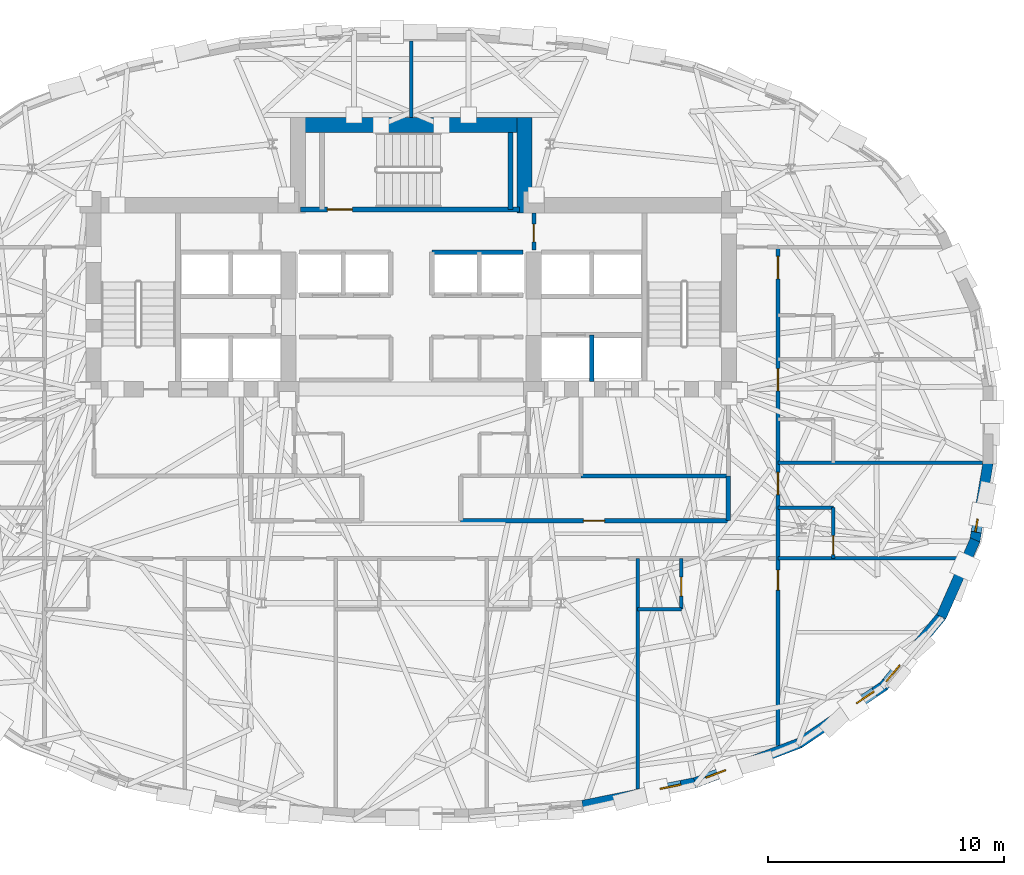
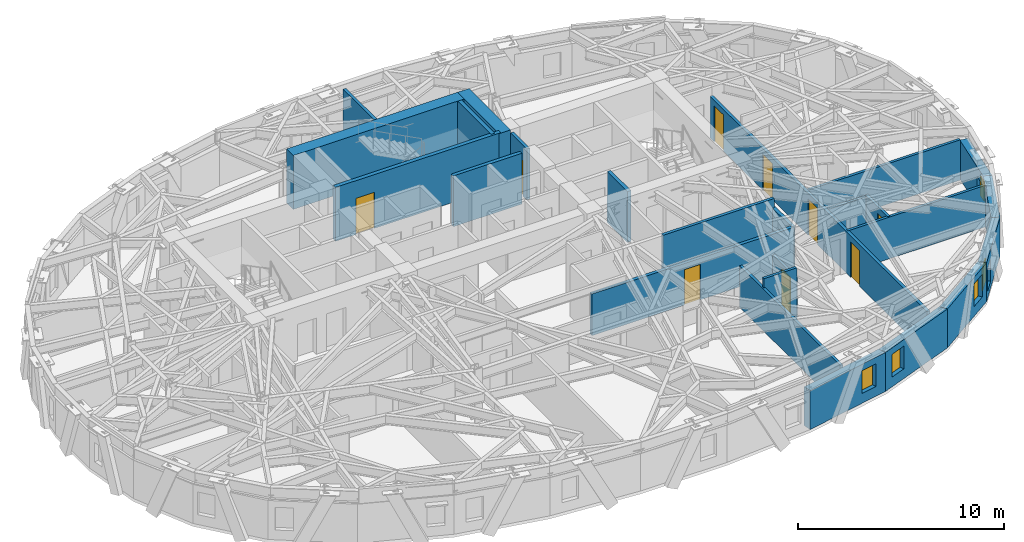
# One storey, part 9 of 15: 25 walls, 9 doors, 5 windows, 14 openings.
"""IFC4 building model written with IfcOpenShell, lengths in metres."""

from ifc_helpers import new_model, si_unit, direction, frame, frame_2d, origin, place, context, subcontext, project, spatial, rectangle, extrude, material, layer, layer_set, type_object, element, fill, save


model = new_model("IFC4")

# Units and contexts
model_context = context("Model", 3, precision=1e-05, world=origin(), true_north=direction((0.0, 1.0)))
body_context = subcontext(model_context, "Body", "Model", "MODEL_VIEW")
ifc_project = project(units=[si_unit("LENGTHUNIT", "METRE"), si_unit("AREAUNIT", "SQUARE_METRE"), si_unit("VOLUMEUNIT", "CUBIC_METRE"), si_unit("PLANEANGLEUNIT", "RADIAN"), si_unit("MASSUNIT", "GRAM", prefix="KILO")], contexts=[model_context])

# Site, building, storey
site_placement = place(None, origin())
site = spatial("IfcSite", under=ifc_project, at=site_placement, CompositionType="ELEMENT")
building_placement = place(site_placement, origin())
building = spatial("IfcBuilding", under=site, at=building_placement, Name="Keldmark Tower", CompositionType="ELEMENT")
storey_placement = place(building_placement, frame((0.0, 0.0, 150.199951171875)))
storey = spatial("IfcBuildingStorey", under=building, at=storey_placement, Name="L40", CompositionType="ELEMENT", Elevation=150.199951171875)

# Wall, opening, door
ifc_material_1 = material(Name="Heavy Acoustic Plumbing Chase Gypsum Assembly", Category="gypsum")
ifc_layer_1 = layer(ifc_material_1, 0.18994140625)
ifc_layer_set_1 = layer_set([ifc_layer_1], Name="Heavy Acoustic Plumbing Chase Gypsum Assembly")
wall_type_1 = type_object("IfcWallType", Name="Heavy Wet Wall 190 mm", PredefinedType="PLUMBINGWALL", material=ifc_layer_set_1)
wall_1_placement = place(storey_placement, frame((2.10009765625, -4.050048828125, 0.0), z_axis=(0.0, 0.0, 1.0), x_axis=(1.0, 0.0, 0.0)))
wall_1 = element("IfcWall", 1, at=wall_1_placement, inside=storey, type_object=wall_type_1, Name="L40 Heavy Wet Wall 190 mm SPK-E-S", PredefinedType="PLUMBINGWALL", context=body_context, shape_type="SweptSolid", body=[
    extrude(rectangle(XDim=11.349853515625, YDim=0.18994140625, at=frame_2d((5.6748046875, 0.0))), origin(), (0.0, 0.0, 1.0), 2.47314453125),
])
opening_1_placement = place(wall_1_placement, frame((5.199951171875, 0.0, 0.0)))
opening_1 = element("IfcOpeningElement", 2, at=opening_1_placement, cuts=wall_1, Name="Opening D-IN090", PredefinedType="OPENING", context=body_context, shape_type="SweptSolid", body=[
    extrude(rectangle(XDim=0.89990234375, YDim=2.10009765625, at=frame_2d((0.449951171875, 1.050048828125))), frame((0.0, 0.10498046875, 0.0), z_axis=(0.0, -1.0, 0.0), x_axis=(1.0, 0.0, 0.0)), (0.0, 0.0, 1.0), 0.2099609375),
])
ifc_material_2 = material(Name="Stained American White Oak Veneer", Category="wood")
door_type_1 = type_object("IfcDoorType", Name="Interior Door 900x2100", OperationType="NOTDEFINED", PredefinedType="DOOR", material=ifc_material_2)
door_1_placement = place(opening_1_placement, origin())
door_1 = element("IfcDoor", 3, at=door_1_placement, inside=storey, type_object=door_type_1, Name="L40 Interior Door 900x2100 D-SPKE1-L40", OperationType="SINGLE_SWING_RIGHT", OverallHeight=2.10009765625, OverallWidth=0.89990234375, PredefinedType="DOOR", context=body_context, shape_type="SweptSolid", body=[
    extrude(rectangle(XDim=0.89990234375, YDim=2.10009765625, at=frame_2d((0.449951171875, 1.050048828125))), frame((0.0, 0.02490234375, 0.0), z_axis=(0.0, -1.0, 0.0), x_axis=(1.0, 0.0, 0.0)), (0.0, 0.0, 1.0), 0.050048828125),
])
fill(opening_1, door_1)

# Walls
wall_2_placement = place(storey_placement, frame((13.449951171875, -4.050048828125, 0.0), z_axis=(0.0, 0.0, 1.0), x_axis=(0.0, 1.0, 0.0)))
element("IfcWall", 4, at=wall_2_placement, inside=storey, type_object=wall_type_1, Name="L40 Heavy Wet Wall 190 mm SPK-E-E", PredefinedType="PLUMBINGWALL", context=body_context, shape_type="SweptSolid", body=[
    extrude(rectangle(XDim=1.900146484375, YDim=0.18994140625, at=frame_2d((0.9501953125, 0.0))), origin(), (0.0, 0.0, 1.0), 2.47314453125),
])
ifc_material_3 = material(Name="Type X Fire-Rated Gypsum Partition Assembly", Category="gypsum")
ifc_layer_2 = layer(ifc_material_3, 0.1650390625)
ifc_layer_set_2 = layer_set([ifc_layer_2], Name="Type X Fire-Rated Gypsum Partition Assembly")
wall_type_2 = type_object("IfcWallType", Name="Rated Partition 165 mm", PredefinedType="PARTITIONING", material=ifc_layer_set_2)
wall_3_placement = place(storey_placement, frame((7.199951171875, -2.14990234375, 0.0), z_axis=(0.0, 0.0, 1.0), x_axis=(1.0, 0.0, 0.0)))
element("IfcWall", 5, at=wall_3_placement, inside=storey, type_object=wall_type_2, Name="L40 Rated Partition 165 mm FSAE-E-S", PredefinedType="PARTITIONING", context=body_context, shape_type="SweptSolid", body=[
    extrude(rectangle(XDim=6.25, YDim=0.1650390625, at=frame_2d((3.125, 0.0))), origin(), (0.0, 0.0, 1.0), 3.02001953125),
])

# Wall, opening, door
wall_4_placement = place(storey_placement, frame((5.199951171875, 7.419921875, 0.0), z_axis=(0.0, 0.0, 1.0), x_axis=(0.0, 1.0, 0.0)))
wall_4 = element("IfcWall", 6, at=wall_4_placement, inside=storey, type_object=wall_type_2, Name="L40 Rated Partition 165 mm CS-NE-W", PredefinedType="PARTITIONING", context=body_context, shape_type="SweptSolid", body=[
    extrude(rectangle(XDim=1.580078125, YDim=0.1650390625, at=frame_2d((0.7900390625, 0.0))), origin(), (0.0, 0.0, 1.0), 3.02001953125),
])
opening_2_placement = place(wall_4_placement, frame((0.35009765625, 0.0, 0.0)))
opening_2 = element("IfcOpeningElement", 7, at=opening_2_placement, cuts=wall_4, Name="Opening D-RS075", PredefinedType="OPENING", context=body_context, shape_type="SweptSolid", body=[
    extrude(rectangle(XDim=0.75, YDim=2.10009765625, at=frame_2d((0.375, 1.050048828125))), frame((0.0, 0.092529296875, 0.0), z_axis=(0.0, -1.0, 0.0), x_axis=(1.0, 0.0, 0.0)), (0.0, 0.0, 1.0), 0.18505859375),
])
ifc_material_4 = material(Name="Galvanized Fire-Rated Access Leaf", Category="metal")
door_type_2 = type_object("IfcDoorType", Name="Riser Access Door 750x2100", OperationType="NOTDEFINED", PredefinedType="DOOR", material=ifc_material_4)
door_2_placement = place(opening_2_placement, origin())
door_2 = element("IfcDoor", 8, at=door_2_placement, inside=storey, type_object=door_type_2, Name="L40 Riser Access Door 750x2100 D-CSNE1-L40", OperationType="SINGLE_SWING_LEFT", OverallHeight=2.10009765625, OverallWidth=0.75, PredefinedType="DOOR", context=body_context, shape_type="SweptSolid", body=[
    extrude(rectangle(XDim=0.75, YDim=2.10009765625, at=frame_2d((0.375, 1.050048828125))), frame((0.0, 0.02490234375, 0.0), z_axis=(0.0, -1.0, 0.0), x_axis=(1.0, 0.0, 0.0)), (0.0, 0.0, 1.0), 0.050048828125),
])
fill(opening_2, door_2)

# Wall, openings, doors
wall_5_placement = place(storey_placement, frame((15.550048828125, -13.5869140625, 0.0), z_axis=(0.0, 0.0, 1.0), x_axis=(0.0, 1.0, 0.0)))
wall_5 = element("IfcWall", 9, at=wall_5_placement, inside=storey, type_object=wall_type_2, Name="L40 Rated Partition 165 mm HCOR-E", PredefinedType="PARTITIONING", context=body_context, shape_type="SweptSolid", body=[
    extrude(rectangle(XDim=21.136962890625, YDim=0.1650390625, at=frame_2d((10.568359375, 0.0))), origin(), (0.0, 0.0, 1.0), 2.47314453125),
])
opening_3_placement = place(wall_5_placement, frame((6.586669921875, 0.0, 0.0)))
opening_3 = element("IfcOpeningElement", 10, at=opening_3_placement, cuts=wall_5, Name="Opening D-IN085", PredefinedType="OPENING", context=body_context, shape_type="SweptSolid", body=[
    extrude(rectangle(XDim=0.85009765625, YDim=2.10009765625, at=frame_2d((0.425048828125, 1.050048828125))), frame((0.0, 0.092529296875, 0.0), z_axis=(0.0, -1.0, 0.0), x_axis=(1.0, 0.0, 0.0)), (0.0, 0.0, 1.0), 0.18505859375),
])
opening_4_placement = place(wall_5_placement, frame((10.63671875, 0.0, 0.0)))
opening_4 = element("IfcOpeningElement", 11, at=opening_4_placement, cuts=wall_5, Name="Opening D-HT095", PredefinedType="OPENING", context=body_context, shape_type="SweptSolid", body=[
    extrude(rectangle(XDim=0.949951171875, YDim=2.14990234375, at=frame_2d((0.47509765625, 1.074951171875))), frame((0.0, 0.092529296875, 0.0), z_axis=(0.0, -1.0, 0.0), x_axis=(1.0, 0.0, 0.0)), (0.0, 0.0, 1.0), 0.18505859375),
])
opening_5_placement = place(wall_5_placement, frame((15.03662109375, 0.0, 0.0)))
opening_5 = element("IfcOpeningElement", 12, at=opening_5_placement, cuts=wall_5, Name="Opening D-HT095", PredefinedType="OPENING", context=body_context, shape_type="SweptSolid", body=[
    extrude(rectangle(XDim=0.949951171875, YDim=2.14990234375, at=frame_2d((0.47509765625, 1.074951171875))), frame((0.0, 0.092529296875, 0.0), z_axis=(0.0, -1.0, 0.0), x_axis=(1.0, 0.0, 0.0)), (0.0, 0.0, 1.0), 0.18505859375),
])
opening_6_placement = place(wall_5_placement, frame((19.78662109375, 0.0, 0.0)))
opening_6 = element("IfcOpeningElement", 13, at=opening_6_placement, cuts=wall_5, Name="Opening D-HT095", PredefinedType="OPENING", context=body_context, shape_type="SweptSolid", body=[
    extrude(rectangle(XDim=0.949951171875, YDim=2.14990234375, at=frame_2d((0.47509765625, 1.074951171875))), frame((0.0, 0.092529296875, 0.0), z_axis=(0.0, -1.0, 0.0), x_axis=(1.0, 0.0, 0.0)), (0.0, 0.0, 1.0), 0.18505859375),
])
ifc_material_5 = material(Name="Solid-Core Acoustic White Oak Fire-Rated Assembly", Category="wood")
door_type_3 = type_object("IfcDoorType", Name="Hotel Entry Door 950x2150", OperationType="NOTDEFINED", PredefinedType="DOOR", material=ifc_material_5)
door_3_placement = place(opening_4_placement, origin())
door_3 = element("IfcDoor", 14, at=door_3_placement, inside=storey, type_object=door_type_3, Name="L40 Hotel Entry Door 950x2150 D-HR-9-L40", OperationType="SINGLE_SWING_LEFT", OverallHeight=2.14990234375, OverallWidth=0.949951171875, PredefinedType="DOOR", context=body_context, shape_type="SweptSolid", body=[
    extrude(rectangle(XDim=0.949951171875, YDim=2.14990234375, at=frame_2d((0.47509765625, 1.074951171875))), frame((0.0, 0.02490234375, 0.0), z_axis=(0.0, -1.0, 0.0), x_axis=(1.0, 0.0, 0.0)), (0.0, 0.0, 1.0), 0.050048828125),
])
fill(opening_4, door_3)
door_4_placement = place(opening_5_placement, origin())
door_4 = element("IfcDoor", 15, at=door_4_placement, inside=storey, type_object=door_type_3, Name="L40 Hotel Entry Door 950x2150 D-HR-10-L40", OperationType="SINGLE_SWING_LEFT", OverallHeight=2.14990234375, OverallWidth=0.949951171875, PredefinedType="DOOR", context=body_context, shape_type="SweptSolid", body=[
    extrude(rectangle(XDim=0.949951171875, YDim=2.14990234375, at=frame_2d((0.47509765625, 1.074951171875))), frame((0.0, 0.02490234375, 0.0), z_axis=(0.0, -1.0, 0.0), x_axis=(1.0, 0.0, 0.0)), (0.0, 0.0, 1.0), 0.050048828125),
])
fill(opening_5, door_4)
door_5_placement = place(opening_6_placement, origin())
door_5 = element("IfcDoor", 16, at=door_5_placement, inside=storey, type_object=door_type_3, Name="L40 Hotel Entry Door 950x2150 D-HR-11-L40", OperationType="SINGLE_SWING_LEFT", OverallHeight=2.14990234375, OverallWidth=0.949951171875, PredefinedType="DOOR", context=body_context, shape_type="SweptSolid", body=[
    extrude(rectangle(XDim=0.949951171875, YDim=2.14990234375, at=frame_2d((0.47509765625, 1.074951171875))), frame((0.0, 0.02490234375, 0.0), z_axis=(0.0, -1.0, 0.0), x_axis=(1.0, 0.0, 0.0)), (0.0, 0.0, 1.0), 0.050048828125),
])
fill(opening_6, door_5)
ifc_material_6 = material(Name="Painted Architectural Wood", Category="wood")
door_type_4 = type_object("IfcDoorType", Name="Interior Door 850x2100", OperationType="NOTDEFINED", PredefinedType="DOOR", material=ifc_material_6)
door_6_placement = place(opening_3_placement, origin())
door_6 = element("IfcDoor", 17, at=door_6_placement, inside=storey, type_object=door_type_4, Name="L40 Interior Door 850x2100 D-HKSE-L40", OperationType="SINGLE_SWING_RIGHT", OverallHeight=2.10009765625, OverallWidth=0.85009765625, PredefinedType="DOOR", context=body_context, shape_type="SweptSolid", body=[
    extrude(rectangle(XDim=0.85009765625, YDim=2.10009765625, at=frame_2d((0.425048828125, 1.050048828125))), frame((0.0, 0.02490234375, 0.0), z_axis=(0.0, -1.0, 0.0), x_axis=(1.0, 0.0, 0.0)), (0.0, 0.0, 1.0), 0.050048828125),
])
fill(opening_3, door_6)

# Walls
wall_6_placement = place(storey_placement, frame((0.0, 13.050048828125, 0.0), z_axis=(0.0, 0.0, 1.0), x_axis=(0.0, 1.0, 0.0)))
element("IfcWall", 18, at=wall_6_placement, inside=storey, type_object=wall_type_2, Name="L40 Rated Partition 165 mm HN-DIV", PredefinedType="PARTITIONING", context=body_context, shape_type="SweptSolid", body=[
    extrude(rectangle(XDim=3.228515625, YDim=0.1650390625, at=frame_2d((1.6142578125, 0.0))), origin(), (0.0, 0.0, 1.0), 3.02001953125),
])
ifc_material_7 = material(Name="Fire-Resistant Type X Gypsum Shaftliner Coreboard", Category="gypsum")
ifc_layer_3 = layer(ifc_material_7, 0.199951171875)
ifc_layer_set_3 = layer_set([ifc_layer_3], Name="Fire-Resistant Type X Gypsum Shaftliner Coreboard")
wall_type_3 = type_object("IfcWallType", Name="Shaft Wall 200 mm", PredefinedType="SOLIDWALL", material=ifc_layer_set_3)
wall_7_placement = place(storey_placement, frame((7.64990234375, 1.85009765625, 0.0), z_axis=(0.0, 0.0, 1.0), x_axis=(0.0, 1.0, 0.0)))
element("IfcWall", 19, at=wall_7_placement, inside=storey, type_object=wall_type_3, Name="L40 Shaft Wall 200 mm HW-E-M", PredefinedType="SOLIDWALL", context=body_context, shape_type="SweptSolid", body=[
    extrude(rectangle(XDim=1.969970703125, YDim=0.199951171875, at=frame_2d((0.98486328125, 0.0))), origin(), (0.0, 0.0, 1.0), 3.02001953125),
])
wall_8_placement = place(storey_placement, frame((0.8798828125, 7.330078125, 0.0), z_axis=(0.0, 0.0, 1.0), x_axis=(1.0, 0.0, 0.0)))
element("IfcWall", 20, at=wall_8_placement, inside=storey, type_object=wall_type_3, Name="L40 Shaft Wall 200 mm MID-N-E", PredefinedType="SOLIDWALL", context=body_context, shape_type="SweptSolid", body=[
    extrude(rectangle(XDim=3.860107421875, YDim=0.199951171875, at=frame_2d((1.93017578125, 0.0))), origin(), (0.0, 0.0, 1.0), 3.02001953125),
])

# Wall, opening, door
ifc_material_8 = material(Name="Concrete C50/60", Category="concrete")
ifc_layer_4 = layer(ifc_material_8, 0.219970703125)
ifc_layer_set_4 = layer_set([ifc_layer_4], Name="Concrete C50/60")
wall_type_4 = type_object("IfcWallType", Name="Stair Core Shear Wall 220 mm", PredefinedType="SHEAR", material=ifc_layer_set_4)
wall_9_placement = place(storey_placement, frame((-4.699951171875, 9.139892578125, 0.0), z_axis=(0.0, 0.0, 1.0), x_axis=(1.0, 0.0, 0.0)))
wall_9 = element("IfcWall", 21, at=wall_9_placement, inside=storey, type_object=wall_type_4, Name="L40 Central Stair Core South Shear Wall", PredefinedType="SHEAR", context=body_context, shape_type="SweptSolid", body=[
    extrude(rectangle(XDim=9.300048828125, YDim=0.219970703125, at=frame_2d((4.64990234375, 0.0))), origin(), (0.0, 0.0, 1.0), 3.199951171875),
])
opening_7_placement = place(wall_9_placement, frame((1.14990234375, 0.0, 0.0)))
opening_7 = element("IfcOpeningElement", 22, at=opening_7_placement, cuts=wall_9, Name="Opening D-ST105", PredefinedType="OPENING", context=body_context, shape_type="SweptSolid", body=[
    extrude(rectangle(XDim=1.050048828125, YDim=2.14990234375, at=frame_2d((0.52490234375, 1.074951171875))), frame((0.0, 0.119873046875, 0.0), z_axis=(0.0, -1.0, 0.0), x_axis=(1.0, 0.0, 0.0)), (0.0, 0.0, 1.0), 0.239990234375),
])
ifc_material_9 = material(Name="Hollow Metal Fire-Rated Door Assembly", Category="metal")
door_type_5 = type_object("IfcDoorType", Name="Stair Fire Door 1050x2150", OperationType="NOTDEFINED", PredefinedType="DOOR", material=ifc_material_9)
door_7_placement = place(opening_7_placement, origin())
door_7 = element("IfcDoor", 23, at=door_7_placement, inside=storey, type_object=door_type_5, Name="L40 Stair Fire Door 1050x2150 D-ST3-L40", OperationType="SINGLE_SWING_RIGHT", OverallHeight=2.14990234375, OverallWidth=1.050048828125, PredefinedType="DOOR", context=body_context, shape_type="SweptSolid", body=[
    extrude(rectangle(XDim=1.050048828125, YDim=2.14990234375, at=frame_2d((0.52490234375, 1.074951171875))), frame((0.0, 0.02490234375, 0.0), z_axis=(0.0, -1.0, 0.0), x_axis=(1.0, 0.0, 0.0)), (0.0, 0.0, 1.0), 0.050048828125),
])
fill(opening_7, door_7)

# Wall
wall_10_placement = place(storey_placement, frame((4.215087890625, 9.139892578125, 0.0), z_axis=(0.0, 0.0, 1.0), x_axis=(0.0, 1.0, 0.0)))
element("IfcWall", 24, at=wall_10_placement, inside=storey, type_object=wall_type_4, Name="L40 Central Stair Core East Shear Wall", PredefinedType="SHEAR", context=body_context, shape_type="SweptSolid", body=[
    extrude(rectangle(XDim=3.260009765625, YDim=0.219970703125, at=frame_2d((1.6298828125, 0.0))), origin(), (0.0, 0.0, 1.0), 3.199951171875),
])

# Wall, opening, window
ifc_material_10 = material(Name="Ironspot Manganese Brick and Kasota Buff Limestone Spandrel Assembly", Category="masonry")
ifc_layer_5 = layer(ifc_material_10, 0.43994140625)
ifc_layer_set_5 = layer_set([ifc_layer_5], Name="Ironspot Manganese Brick and Kasota Buff Limestone Spandrel Assembly")
wall_type_5 = type_object("IfcWallType", Name="Tower Brick Pier and Spandrel Wall 440 mm", PredefinedType="STANDARD", material=ifc_layer_set_5)
wall_11_placement = place(storey_placement, frame((12.0751953125, -15.1533203125, 0.0), z_axis=(0.0, 0.0, 1.0), x_axis=(-0.980021305588, -0.198892535291, 0.0)))
wall_11 = element("IfcWall", 25, at=wall_11_placement, inside=storey, type_object=wall_type_5, Name="L40 Exterior Brick and Spandrel Wall 26", PredefinedType="STANDARD", context=body_context, shape_type="SweptSolid", body=[
    extrude(rectangle(XDim=4.902587890625, YDim=0.43994140625, at=frame_2d((2.451171875, 0.0))), origin(), (0.0, 0.0, 1.0), 2.31494140625),
])
opening_8_placement = place(wall_11_placement, frame((0.644287109375, 0.0, 0.580078125)))
opening_8 = element("IfcOpeningElement", 26, at=opening_8_placement, cuts=wall_11, Name="Opening W-09", PredefinedType="OPENING", context=body_context, shape_type="SweptSolid", body=[
    extrude(rectangle(XDim=0.89990234375, YDim=1.35009765625, at=frame_2d((0.449951171875, 0.675048828125))), frame((0.0, 0.22998046875, 0.0), z_axis=(0.0, -1.0, 0.0), x_axis=(1.0, 0.0, 0.0)), (0.0, 0.0, 1.0), 0.4599609375),
])
ifc_material_11 = material(Name="Thermally Broken Anodized Aluminum and Triple Low-E Argon Glazing", Category="aluminium")
window_type_1 = type_object("IfcWindowType", Name="Corner Pier Deep-Set Window 900x1350", PartitioningType="SINGLE_PANEL", PredefinedType="WINDOW", material=ifc_material_11)
window_1_placement = place(opening_8_placement, origin())
window_1 = element("IfcWindow", 27, at=window_1_placement, inside=storey, type_object=window_type_1, Name="L40 Deep-Set Window 26", OverallHeight=1.35009765625, OverallWidth=0.89990234375, PartitioningType="SINGLE_PANEL", PredefinedType="WINDOW", context=body_context, shape_type="SweptSolid", body=[
    extrude(rectangle(XDim=0.89990234375, YDim=1.35009765625, at=frame_2d((0.449951171875, 0.675048828125))), frame((0.0, -0.010009765625, 0.0), z_axis=(0.0, -1.0, 0.0), x_axis=(1.0, 0.0, 0.0)), (0.0, 0.0, 1.0), 0.06005859375),
])
fill(opening_8, window_1)

wall_12_placement = place(storey_placement, frame((16.486083984375, -13.475341796875, 0.0), z_axis=(0.0, 0.0, 1.0), x_axis=(-0.93488004884, -0.354963792916, 0.0)))
wall_12 = element("IfcWall", 28, at=wall_12_placement, inside=storey, type_object=wall_type_5, Name="L40 Exterior Brick and Spandrel Wall 27", PredefinedType="STANDARD", context=body_context, shape_type="SweptSolid", body=[
    extrude(rectangle(XDim=4.754638671875, YDim=0.43994140625, at=frame_2d((2.37744140625, 0.0))), origin(), (0.0, 0.0, 1.0), 2.31494140625),
])
opening_9_placement = place(wall_12_placement, frame((3.3583984375, 0.0, 0.580078125)))
opening_9 = element("IfcOpeningElement", 29, at=opening_9_placement, cuts=wall_12, Name="Opening W-09", PredefinedType="OPENING", context=body_context, shape_type="SweptSolid", body=[
    extrude(rectangle(XDim=0.89990234375, YDim=1.35009765625, at=frame_2d((0.449951171875, 0.675048828125))), frame((0.0, 0.22998046875, 0.0), z_axis=(0.0, -1.0, 0.0), x_axis=(1.0, 0.0, 0.0)), (0.0, 0.0, 1.0), 0.4599609375),
])
window_2_placement = place(opening_9_placement, origin())
window_2 = element("IfcWindow", 30, at=window_2_placement, inside=storey, type_object=window_type_1, Name="L40 Deep-Set Window 27", OverallHeight=1.35009765625, OverallWidth=0.89990234375, PartitioningType="SINGLE_PANEL", PredefinedType="WINDOW", context=body_context, shape_type="SweptSolid", body=[
    extrude(rectangle(XDim=0.89990234375, YDim=1.35009765625, at=frame_2d((0.449951171875, 0.675048828125))), frame((0.0, -0.010009765625, 0.0), z_axis=(0.0, -1.0, 0.0), x_axis=(1.0, 0.0, 0.0)), (0.0, 0.0, 1.0), 0.06005859375),
])
fill(opening_9, window_2)

wall_13_placement = place(storey_placement, frame((20.06005859375, -11.045654296875, 0.0), z_axis=(0.0, 0.0, 1.0), x_axis=(-0.827782339513, -0.561049372507, 0.0)))
wall_13 = element("IfcWall", 31, at=wall_13_placement, inside=storey, type_object=wall_type_5, Name="L40 Exterior Brick and Spandrel Wall 28", PredefinedType="STANDARD", context=body_context, shape_type="SweptSolid", body=[
    extrude(rectangle(XDim=4.372314453125, YDim=0.43994140625, at=frame_2d((2.18603515625, 0.0))), origin(), (0.0, 0.0, 1.0), 2.31494140625),
])
opening_10_placement = place(wall_13_placement, frame((0.497314453125, 0.0, 0.580078125)))
opening_10 = element("IfcOpeningElement", 32, at=opening_10_placement, cuts=wall_13, Name="Opening W-09", PredefinedType="OPENING", context=body_context, shape_type="SweptSolid", body=[
    extrude(rectangle(XDim=0.89990234375, YDim=1.35009765625, at=frame_2d((0.449951171875, 0.675048828125))), frame((0.0, 0.22998046875, 0.0), z_axis=(0.0, -1.0, 0.0), x_axis=(1.0, 0.0, 0.0)), (0.0, 0.0, 1.0), 0.4599609375),
])
window_3_placement = place(opening_10_placement, origin())
window_3 = element("IfcWindow", 33, at=window_3_placement, inside=storey, type_object=window_type_1, Name="L40 Deep-Set Window 28", OverallHeight=1.35009765625, OverallWidth=0.89990234375, PartitioningType="SINGLE_PANEL", PredefinedType="WINDOW", context=body_context, shape_type="SweptSolid", body=[
    extrude(rectangle(XDim=0.89990234375, YDim=1.35009765625, at=frame_2d((0.449951171875, 0.675048828125))), frame((0.0, -0.010009765625, 0.0), z_axis=(0.0, -1.0, 0.0), x_axis=(1.0, 0.0, 0.0)), (0.0, 0.0, 1.0), 0.06005859375),
])
fill(opening_10, window_3)

wall_14_placement = place(storey_placement, frame((22.503662109375, -8.07470703125, 0.0), z_axis=(0.0, 0.0, 1.0), x_axis=(-0.637002505989, -0.77086173038, 0.0)))
wall_14 = element("IfcWall", 34, at=wall_14_placement, inside=storey, type_object=wall_type_5, Name="L40 Exterior Brick and Spandrel Wall 29", PredefinedType="STANDARD", context=body_context, shape_type="SweptSolid", body=[
    extrude(rectangle(XDim=3.908447265625, YDim=0.43994140625, at=frame_2d((1.9541015625, 0.0))), origin(), (0.0, 0.0, 1.0), 2.31494140625),
])
opening_11_placement = place(wall_14_placement, frame((2.759521484375, 0.0, 0.419921875)))
opening_11 = element("IfcOpeningElement", 35, at=opening_11_placement, cuts=wall_14, Name="Opening W-09", PredefinedType="OPENING", context=body_context, shape_type="SweptSolid", body=[
    extrude(rectangle(XDim=0.89990234375, YDim=1.35009765625, at=frame_2d((0.449951171875, 0.675048828125))), frame((0.0, 0.22998046875, 0.0), z_axis=(0.0, -1.0, 0.0), x_axis=(1.0, 0.0, 0.0)), (0.0, 0.0, 1.0), 0.4599609375),
])
window_4_placement = place(opening_11_placement, origin())
window_4 = element("IfcWindow", 36, at=window_4_placement, inside=storey, type_object=window_type_1, Name="L40 Deep-Set Window 29", OverallHeight=1.35009765625, OverallWidth=0.89990234375, PartitioningType="SINGLE_PANEL", PredefinedType="WINDOW", context=body_context, shape_type="SweptSolid", body=[
    extrude(rectangle(XDim=0.89990234375, YDim=1.35009765625, at=frame_2d((0.449951171875, 0.675048828125))), frame((0.0, -0.010009765625, 0.0), z_axis=(0.0, -1.0, 0.0), x_axis=(1.0, 0.0, 0.0)), (0.0, 0.0, 1.0), 0.06005859375),
])
fill(opening_11, window_4)

# Wall
wall_15_placement = place(storey_placement, frame((23.91064453125, -4.868896484375, 0.0), z_axis=(0.0, 0.0, 1.0), x_axis=(-0.403999745193, -0.914759097186, 0.0)))
element("IfcWall", 37, at=wall_15_placement, inside=storey, type_object=wall_type_5, Name="L40 Exterior Brick and Spandrel Wall 30", PredefinedType="STANDARD", context=body_context, shape_type="SweptSolid", body=[
    extrude(rectangle(XDim=3.560546875, YDim=0.43994140625, at=frame_2d((1.7802734375, 0.0))), origin(), (0.0, 0.0, 1.0), 2.31494140625),
])

# Wall, opening, window
wall_16_placement = place(storey_placement, frame((24.45947265625, -1.6103515625, 0.0), z_axis=(0.0, 0.0, 1.0), x_axis=(-0.168075929829, -0.985774052109, 0.0)))
wall_16 = element("IfcWall", 38, at=wall_16_placement, inside=storey, type_object=wall_type_5, Name="L40 Exterior Brick and Spandrel Wall 31", PredefinedType="STANDARD", context=body_context, shape_type="SweptSolid", body=[
    extrude(rectangle(XDim=3.3583984375, YDim=0.43994140625, at=frame_2d((1.67919921875, 0.0))), origin(), (0.0, 0.0, 1.0), 2.31494140625),
])
opening_12_placement = place(wall_16_placement, frame((2.411376953125, 0.0, 0.580078125)))
opening_12 = element("IfcOpeningElement", 39, at=opening_12_placement, cuts=wall_16, Name="Opening W-10", PredefinedType="OPENING", context=body_context, shape_type="SweptSolid", body=[
    extrude(rectangle(XDim=0.56005859375, YDim=1.14990234375, at=frame_2d((0.280029296875, 0.574951171875))), frame((0.0, 0.22998046875, 0.0), z_axis=(0.0, -1.0, 0.0), x_axis=(1.0, 0.0, 0.0)), (0.0, 0.0, 1.0), 0.4599609375),
])
ifc_material_12 = material(Name="Thermally Broken Anodized Aluminum and Triple Low-E Argon Glazing", Category="aluminium")
window_type_2 = type_object("IfcWindowType", Name="Narrow Pier Lancet Window 560x1150", PartitioningType="SINGLE_PANEL", PredefinedType="WINDOW", material=ifc_material_12)
window_5_placement = place(opening_12_placement, origin())
window_5 = element("IfcWindow", 40, at=window_5_placement, inside=storey, type_object=window_type_2, Name="L40 Pier Window RM04", OverallHeight=1.14990234375, OverallWidth=0.56005859375, PartitioningType="SINGLE_PANEL", PredefinedType="WINDOW", context=body_context, shape_type="SweptSolid", body=[
    extrude(rectangle(XDim=0.56005859375, YDim=1.14990234375, at=frame_2d((0.280029296875, 0.574951171875))), frame((0.0, -0.010009765625, 0.0), z_axis=(0.0, -1.0, 0.0), x_axis=(1.0, 0.0, 0.0)), (0.0, 0.0, 1.0), 0.06005859375),
])
fill(opening_12, window_5)

# Walls
ifc_material_13 = material(Name="Concrete C50/60", Category="concrete")
ifc_layer_6 = layer(ifc_material_13, 0.64990234375)
ifc_layer_set_6 = layer_set([ifc_layer_6], Name="Concrete C50/60")
wall_type_6 = type_object("IfcWallType", Name="Upper-Mid Core Shear Wall 650 mm", PredefinedType="SHEAR", material=ifc_layer_set_6)
wall_17_placement = place(storey_placement, frame((-5.125, 12.72509765625, 0.0), z_axis=(0.0, 0.0, 1.0), x_axis=(1.0, 0.0, 0.0)))
element("IfcWall", 41, at=wall_17_placement, inside=storey, type_object=wall_type_6, Name="L40 North Core Shear Wall", PredefinedType="SHEAR", context=body_context, shape_type="SweptSolid", body=[
    extrude(rectangle(XDim=10.25, YDim=0.64990234375, at=frame_2d((5.125, 0.0))), origin(), (0.0, 0.0, 1.0), 3.199951171875),
])
wall_18_placement = place(storey_placement, frame((4.800048828125, 9.0, 0.0), z_axis=(0.0, 0.0, 1.0), x_axis=(0.0, 1.0, 0.0)))
element("IfcWall", 42, at=wall_18_placement, inside=storey, type_object=wall_type_6, Name="L40 North Core East Shear Wall", PredefinedType="SHEAR", context=body_context, shape_type="SweptSolid", body=[
    extrude(rectangle(XDim=4.050048828125, YDim=0.64990234375, at=frame_2d((2.02490234375, 0.0))), origin(), (0.0, 0.0, 1.0), 3.199951171875),
])
ifc_material_14 = material(Name="Moisture-Resistant Gypsum Plumbing Partition", Category="gypsum")
ifc_layer_7 = layer(ifc_material_14, 0.14990234375)
ifc_layer_set_7 = layer_set([ifc_layer_7], Name="Moisture-Resistant Gypsum Plumbing Partition")
wall_type_7 = type_object("IfcWallType", Name="Wet Wall 150 mm", PredefinedType="PLUMBINGWALL", material=ifc_layer_set_7)
wall_19_placement = place(storey_placement, frame((15.550048828125, -5.64990234375, 0.0), z_axis=(0.0, 0.0, 1.0), x_axis=(1.0, 0.0, 0.0)))
element("IfcWall", 43, at=wall_19_placement, inside=storey, type_object=wall_type_7, Name="L40 Wet Wall 150 mm HE-CAP-S", PredefinedType="PLUMBINGWALL", context=body_context, shape_type="SweptSolid", body=[
    extrude(rectangle(XDim=7.766357421875, YDim=0.14990234375, at=frame_2d((3.88330078125, 0.0))), origin(), (0.0, 0.0, 1.0), 2.47314453125),
])
wall_20_placement = place(storey_placement, frame((9.60009765625, -15.4228515625, 0.0), z_axis=(0.0, 0.0, 1.0), x_axis=(0.0, 1.0, 0.0)))
element("IfcWall", 44, at=wall_20_placement, inside=storey, type_object=wall_type_7, Name="L40 Wet Wall 150 mm HS-DIV-4", PredefinedType="PLUMBINGWALL", context=body_context, shape_type="SweptSolid", body=[
    extrude(rectangle(XDim=9.77294921875, YDim=0.14990234375, at=frame_2d((4.886474609375, 0.0))), origin(), (0.0, 0.0, 1.0), 2.47314453125),
])

# Wall, opening, door
wall_21_placement = place(storey_placement, frame((11.449951171875, -7.800048828125, 0.0), z_axis=(0.0, 0.0, 1.0), x_axis=(0.0, 1.0, 0.0)))
wall_21 = element("IfcWall", 45, at=wall_21_placement, inside=storey, type_object=wall_type_7, Name="L40 Wet Wall 150 mm HB-S5-E", PredefinedType="PLUMBINGWALL", context=body_context, shape_type="SweptSolid", body=[
    extrude(rectangle(XDim=2.150146484375, YDim=0.14990234375, at=frame_2d((1.0751953125, 0.0))), origin(), (0.0, 0.0, 1.0), 2.47314453125),
])
opening_13_placement = place(wall_21_placement, frame((0.550048828125, 0.0, 0.0)))
opening_13 = element("IfcOpeningElement", 46, at=opening_13_placement, cuts=wall_21, Name="Opening D-BT080", PredefinedType="OPENING", context=body_context, shape_type="SweptSolid", body=[
    extrude(rectangle(XDim=0.800048828125, YDim=2.10009765625, at=frame_2d((0.39990234375, 1.050048828125))), frame((0.0, 0.0849609375, 0.0), z_axis=(0.0, -1.0, 0.0), x_axis=(1.0, 0.0, 0.0)), (0.0, 0.0, 1.0), 0.169921875),
])
ifc_material_15 = material(Name="Moisture-Sealed Stained Wood", Category="wood")
door_type_6 = type_object("IfcDoorType", Name="Bathroom Door 800x2100", OperationType="NOTDEFINED", PredefinedType="DOOR", material=ifc_material_15)
door_8_placement = place(opening_13_placement, origin())
door_8 = element("IfcDoor", 47, at=door_8_placement, inside=storey, type_object=door_type_6, Name="L40 Bathroom Door 800x2100 D-HBS5-L40", OperationType="SINGLE_SWING_RIGHT", OverallHeight=2.10009765625, OverallWidth=0.800048828125, PredefinedType="DOOR", context=body_context, shape_type="SweptSolid", body=[
    extrude(rectangle(XDim=0.800048828125, YDim=2.10009765625, at=frame_2d((0.39990234375, 1.050048828125))), frame((0.0, 0.02490234375, 0.0), z_axis=(0.0, -1.0, 0.0), x_axis=(1.0, 0.0, 0.0)), (0.0, 0.0, 1.0), 0.050048828125),
])
fill(opening_13, door_8)

# Walls
wall_22_placement = place(storey_placement, frame((9.60009765625, -7.800048828125, 0.0), z_axis=(0.0, 0.0, 1.0), x_axis=(1.0, 0.0, 0.0)))
element("IfcWall", 48, at=wall_22_placement, inside=storey, type_object=wall_type_7, Name="L40 Wet Wall 150 mm HB-S5-S", PredefinedType="PLUMBINGWALL", context=body_context, shape_type="SweptSolid", body=[
    extrude(rectangle(XDim=1.849853515625, YDim=0.14990234375, at=frame_2d((0.9248046875, 0.0))), origin(), (0.0, 0.0, 1.0), 3.02001953125),
])
wall_23_placement = place(storey_placement, frame((15.550048828125, -1.60009765625, 0.0), z_axis=(0.0, 0.0, 1.0), x_axis=(1.0, 0.0, 0.0)))
element("IfcWall", 49, at=wall_23_placement, inside=storey, type_object=wall_type_7, Name="L40 Wet Wall 150 mm HE-DIV-1", PredefinedType="PLUMBINGWALL", context=body_context, shape_type="SweptSolid", body=[
    extrude(rectangle(XDim=8.67822265625, YDim=0.14990234375, at=frame_2d((4.339111328125, 0.0))), origin(), (0.0, 0.0, 1.0), 2.39794921875),
])
wall_24_placement = place(storey_placement, frame((15.550048828125, -3.5, 0.0), z_axis=(0.0, 0.0, 1.0), x_axis=(1.0, 0.0, 0.0)))
element("IfcWall", 50, at=wall_24_placement, inside=storey, type_object=wall_type_7, Name="L40 Wet Wall 150 mm HB-9-N", PredefinedType="PLUMBINGWALL", context=body_context, shape_type="SweptSolid", body=[
    extrude(rectangle(XDim=2.349853515625, YDim=0.14990234375, at=frame_2d((1.1748046875, 0.0))), origin(), (0.0, 0.0, 1.0), 2.39794921875),
])

# Wall, opening, door
wall_25_placement = place(storey_placement, frame((17.89990234375, -5.64990234375, 0.0), z_axis=(0.0, 0.0, 1.0), x_axis=(0.0, 1.0, 0.0)))
wall_25 = element("IfcWall", 51, at=wall_25_placement, inside=storey, type_object=wall_type_7, Name="L40 Wet Wall 150 mm HB-9-IN", PredefinedType="PLUMBINGWALL", context=body_context, shape_type="SweptSolid", body=[
    extrude(rectangle(XDim=2.14990234375, YDim=0.14990234375, at=frame_2d((1.074951171875, 0.0))), origin(), (0.0, 0.0, 1.0), 2.47314453125),
])
opening_14_placement = place(wall_25_placement, frame((0.159912109375, 0.0, 0.0)))
opening_14 = element("IfcOpeningElement", 52, at=opening_14_placement, cuts=wall_25, Name="Opening D-BT080", PredefinedType="OPENING", context=body_context, shape_type="SweptSolid", body=[
    extrude(rectangle(XDim=0.800048828125, YDim=2.10009765625, at=frame_2d((0.39990234375, 1.050048828125))), frame((0.0, 0.0849609375, 0.0), z_axis=(0.0, -1.0, 0.0), x_axis=(1.0, 0.0, 0.0)), (0.0, 0.0, 1.0), 0.169921875),
])
door_9_placement = place(opening_14_placement, origin())
door_9 = element("IfcDoor", 53, at=door_9_placement, inside=storey, type_object=door_type_6, Name="L40 Bathroom Door 800x2100 D-HB-9-L40", OperationType="SINGLE_SWING_LEFT", OverallHeight=2.10009765625, OverallWidth=0.800048828125, PredefinedType="DOOR", context=body_context, shape_type="SweptSolid", body=[
    extrude(rectangle(XDim=0.800048828125, YDim=2.10009765625, at=frame_2d((0.39990234375, 1.050048828125))), frame((0.0, 0.02490234375, 0.0), z_axis=(0.0, -1.0, 0.0), x_axis=(1.0, 0.0, 0.0)), (0.0, 0.0, 1.0), 0.050048828125),
])
fill(opening_14, door_9)

save(model, "model.ifc")
